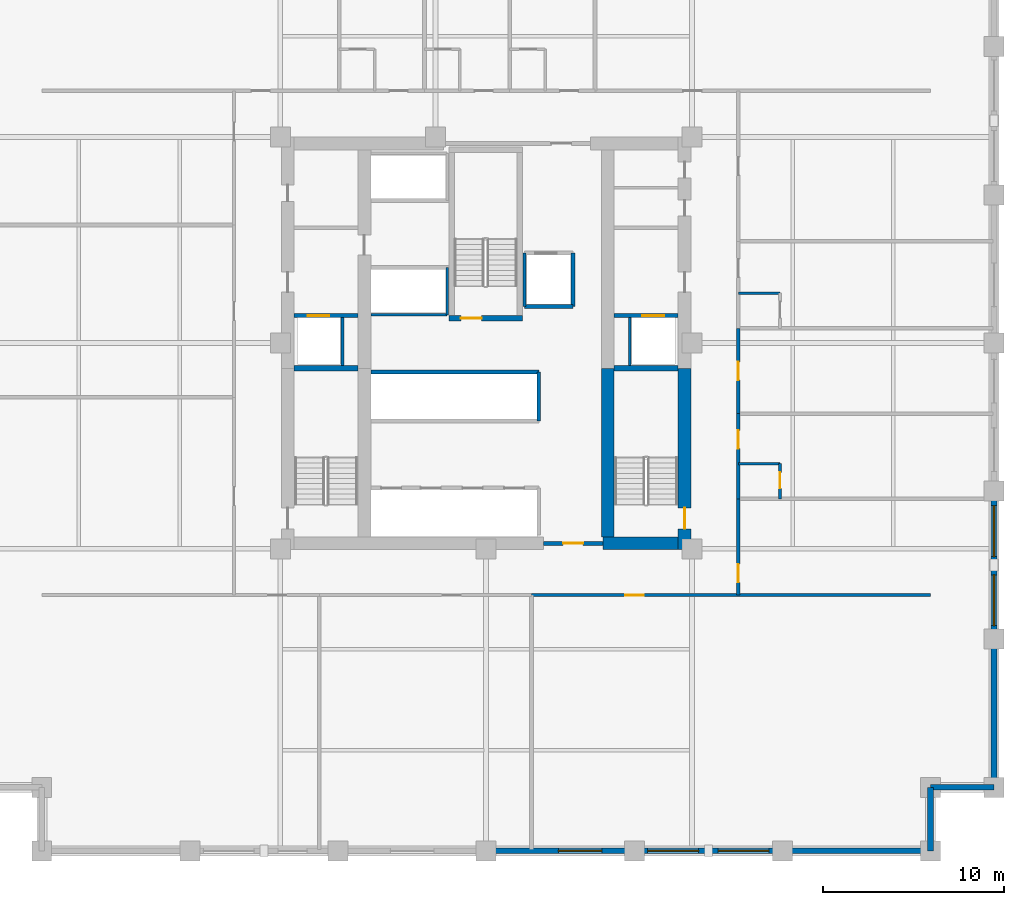
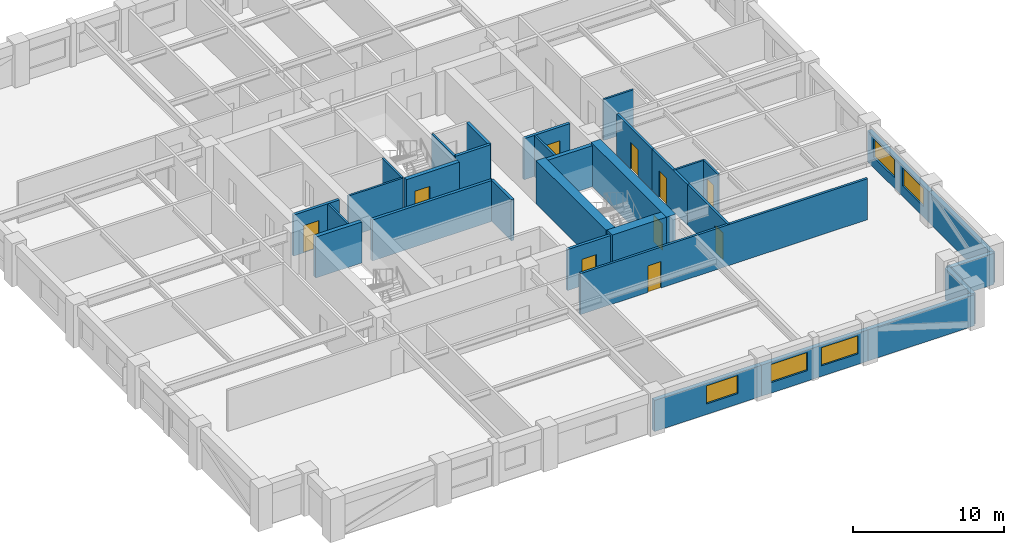
# One storey, part 4 of 8: 32 walls, 10 doors, 5 windows, 15 openings.
"""IFC4 building model written with IfcOpenShell, lengths in metres."""

from ifc_helpers import new_model, si_unit, direction, frame, frame_2d, origin, place, context, subcontext, project, spatial, rectangle, extrude, material, layer, layer_set, type_object, element, fill, save


model = new_model("IFC4")

# Units and contexts
model_context = context("Model", 3, precision=1e-05, world=origin(), true_north=direction((0.0, 1.0)))
body_context = subcontext(model_context, "Body", "Model", "MODEL_VIEW")
ifc_project = project(units=[si_unit("LENGTHUNIT", "METRE"), si_unit("AREAUNIT", "SQUARE_METRE"), si_unit("VOLUMEUNIT", "CUBIC_METRE"), si_unit("PLANEANGLEUNIT", "RADIAN"), si_unit("MASSUNIT", "GRAM", prefix="KILO")], contexts=[model_context])

# Site, building, storey
site_placement = place(None, origin())
site = spatial("IfcSite", under=ifc_project, at=site_placement, CompositionType="ELEMENT")
building_placement = place(site_placement, origin())
building = spatial("IfcBuilding", under=site, at=building_placement, Name="Nhamokura Convention Tower", CompositionType="ELEMENT")
storey_placement = place(building_placement, frame((0.0, 0.0, 56.35009765625)))
storey = spatial("IfcBuildingStorey", under=building, at=storey_placement, Name="L12", CompositionType="ELEMENT", Elevation=56.35009765625)

# Wall
ifc_material_1 = material(Name="Moisture-resistant tile-backer partition", Category="masonry")
ifc_layer_1 = layer(ifc_material_1, 0.139892578125)
ifc_layer_set_1 = layer_set([ifc_layer_1], Name="BathroomWetWall_140")
wall_type_1 = type_object("IfcWallType", Name="BathroomWetWall_140", PredefinedType="STANDARD", material=ifc_layer_set_1)
wall_1_placement = place(storey_placement, frame((45.89990234375, 25.35009765625, 0.0), z_axis=(0.0, 0.0, 1.0), x_axis=(1.0, 0.0, 0.0)))
element("IfcWall", 1, at=wall_1_placement, inside=storey, type_object=wall_type_1, Name="L12 Wall INT-L12-BW-E01N", PredefinedType="STANDARD", context=body_context, shape_type="SweptSolid", body=[
    extrude(rectangle(XDim=2.300048828125, YDim=0.139892578125, at=frame_2d((1.14990234375, 0.0))), origin(), (0.0, 0.0, 1.0), 3.31982421875),
])

# Wall, opening, door
wall_2_placement = place(storey_placement, frame((48.199951171875, 23.39990234375, 0.0), z_axis=(0.0, 0.0, 1.0), x_axis=(0.0, 1.0, 0.0)))
wall_2 = element("IfcWall", 2, at=wall_2_placement, inside=storey, type_object=wall_type_1, Name="L12 Wall INT-L12-BW-E01E", PredefinedType="STANDARD", context=body_context, shape_type="SweptSolid", body=[
    extrude(rectangle(XDim=1.9501953125, YDim=0.139892578125, at=frame_2d((0.97509765625, 0.0))), origin(), (0.0, 0.0, 1.0), 3.31982421875),
])
opening_1_placement = place(wall_2_placement, frame((0.580078125, 0.0, 0.0)))
opening_1 = element("IfcOpeningElement", 3, at=opening_1_placement, cuts=wall_2, Name="Opening D-11", PredefinedType="OPENING", context=body_context, shape_type="SweptSolid", body=[
    extrude(rectangle(XDim=0.8798828125, YDim=2.10009765625, at=frame_2d((0.43994140625, 1.050048828125))), frame((0.0, 0.079833984375, 0.0), z_axis=(0.0, -1.0, 0.0), x_axis=(1.0, 0.0, 0.0)), (0.0, 0.0, 1.0), 0.159912109375),
])
ifc_material_2 = material(Name="Solid oak hardwood", Category="wood")
door_type_1 = type_object("IfcDoorType", Name="BathroomDoor_880", OperationType="NOTDEFINED", PredefinedType="DOOR", material=ifc_material_2)
door_1_placement = place(opening_1_placement, origin())
door_1 = element("IfcDoor", 4, at=door_1_placement, inside=storey, type_object=door_type_1, Name="L12 Corner Suite En-suite Door", OperationType="SINGLE_SWING_LEFT", OverallHeight=2.10009765625, OverallWidth=0.8798828125, PredefinedType="DOOR", context=body_context, shape_type="SweptSolid", body=[
    extrude(rectangle(XDim=0.8798828125, YDim=2.10009765625, at=frame_2d((0.43994140625, 1.050048828125))), frame((0.0, 0.02490234375, 0.0), z_axis=(0.0, -1.0, 0.0), x_axis=(1.0, 0.0, 0.0)), (0.0, 0.0, 1.0), 0.050048828125),
])
fill(opening_1, door_1)

# Wall
wall_3_placement = place(storey_placement, frame((45.89990234375, 34.75, 0.0), z_axis=(0.0, 0.0, 1.0), x_axis=(1.0, 0.0, 0.0)))
element("IfcWall", 5, at=wall_3_placement, inside=storey, type_object=wall_type_1, Name="L12 Wall INT-L12-BW-E03N", PredefinedType="STANDARD", context=body_context, shape_type="SweptSolid", body=[
    extrude(rectangle(XDim=2.300048828125, YDim=0.139892578125, at=frame_2d((1.14990234375, 0.0))), origin(), (0.0, 0.0, 1.0), 3.31982421875),
])

# Wall, opening, window
ifc_material_3 = material(Name="Bronze-pigmented precast concrete C45/55", Category="concrete")
ifc_layer_2 = layer(ifc_material_3, 0.320068359375)
ifc_layer_set_2 = layer_set([ifc_layer_2], Name="BronzePrecastSpandrel_320")
wall_type_2 = type_object("IfcWallType", Name="BronzePrecastSpandrel_320", PredefinedType="USERDEFINED", material=ifc_layer_set_2)
wall_4_placement = place(storey_placement, frame((40.166748046875, 4.0, 0.0), z_axis=(0.0, 0.0, 1.0), x_axis=(-1.0, 0.0, 0.0)))
wall_4 = element("IfcWall", 6, at=wall_4_placement, inside=storey, type_object=wall_type_2, Name="L12 Masonry-Frame Wall SOUTH 3", ObjectType="SPANDREL_WALL", PredefinedType="USERDEFINED", context=body_context, shape_type="SweptSolid", body=[
    extrude(rectangle(XDim=8.166748046875, YDim=0.320068359375, at=frame_2d((4.08349609375, 0.0))), origin(), (0.0, 0.0, 1.0), 2.52001953125),
])
opening_2_placement = place(wall_4_placement, frame((1.783203125, 0.0, 0.85009765625)))
opening_2 = element("IfcOpeningElement", 7, at=opening_2_placement, cuts=wall_4, Name="Opening W-03", PredefinedType="OPENING", context=body_context, shape_type="SweptSolid", body=[
    extrude(rectangle(XDim=2.39990234375, YDim=1.469970703125, at=frame_2d((1.199951171875, 0.73486328125))), frame((0.0, 0.169921875, 0.0), z_axis=(0.0, -1.0, 0.0), x_axis=(1.0, 0.0, 0.0)), (0.0, 0.0, 1.0), 0.340087890625),
])
ifc_material_4 = material(Name="Solar-control bronze low-E double glass", Category="glass")
window_type_1 = type_object("IfcWindowType", Name="HotelBayWindow_2400", PartitioningType="DOUBLE_PANEL_VERTICAL", PredefinedType="WINDOW", material=ifc_material_4)
window_1_placement = place(opening_2_placement, origin())
window_1 = element("IfcWindow", 8, at=window_1_placement, inside=storey, type_object=window_type_1, Name="L12 Facade Window SOUTH 3-1", OverallHeight=1.469970703125, OverallWidth=2.39990234375, PartitioningType="SINGLE_PANEL", PredefinedType="WINDOW", context=body_context, shape_type="SweptSolid", body=[
    extrude(rectangle(XDim=2.39990234375, YDim=1.469970703125, at=frame_2d((1.199951171875, 0.73486328125))), frame((0.0, 0.030029296875, 0.0), z_axis=(0.0, -1.0, 0.0), x_axis=(1.0, 0.0, 0.0)), (0.0, 0.0, 1.0), 0.06005859375),
])
fill(opening_2, window_1)

# Wall, openings, windows
wall_5_placement = place(storey_placement, frame((48.333251953125, 4.0, 0.0), z_axis=(0.0, 0.0, 1.0), x_axis=(-1.0, 0.0, 0.0)))
wall_5 = element("IfcWall", 9, at=wall_5_placement, inside=storey, type_object=wall_type_2, Name="L12 Masonry-Frame Wall SOUTH 4", ObjectType="SPANDREL_WALL", PredefinedType="USERDEFINED", context=body_context, shape_type="SweptSolid", body=[
    extrude(rectangle(XDim=8.16650390625, YDim=0.320068359375, at=frame_2d((4.083251953125, 0.0))), origin(), (0.0, 0.0, 1.0), 2.52001953125),
])
opening_3_placement = place(wall_5_placement, frame((0.74169921875, 0.0, 0.85009765625)))
opening_3 = element("IfcOpeningElement", 10, at=opening_3_placement, cuts=wall_5, Name="Opening W-04", PredefinedType="OPENING", context=body_context, shape_type="SweptSolid", body=[
    extrude(rectangle(XDim=2.800048828125, YDim=1.469970703125, at=frame_2d((1.39990234375, 0.73486328125))), frame((0.0, 0.169921875, 0.0), z_axis=(0.0, -1.0, 0.0), x_axis=(1.0, 0.0, 0.0)), (0.0, 0.0, 1.0), 0.340087890625),
])
opening_4_placement = place(wall_5_placement, frame((4.625, 0.0, 0.85009765625)))
opening_4 = element("IfcOpeningElement", 11, at=opening_4_placement, cuts=wall_5, Name="Opening W-04", PredefinedType="OPENING", context=body_context, shape_type="SweptSolid", body=[
    extrude(rectangle(XDim=2.800048828125, YDim=1.469970703125, at=frame_2d((1.39990234375, 0.73486328125))), frame((0.0, 0.169921875, 0.0), z_axis=(0.0, -1.0, 0.0), x_axis=(1.0, 0.0, 0.0)), (0.0, 0.0, 1.0), 0.340087890625),
])
ifc_material_5 = material(Name="Solar-control bronze low-E double glass", Category="glass")
window_type_2 = type_object("IfcWindowType", Name="HotelSuiteWindow_2800", PartitioningType="DOUBLE_PANEL_VERTICAL", PredefinedType="WINDOW", material=ifc_material_5)
window_2_placement = place(opening_3_placement, origin())
window_2 = element("IfcWindow", 12, at=window_2_placement, inside=storey, type_object=window_type_2, Name="L12 Facade Window SOUTH 4-1", OverallHeight=1.469970703125, OverallWidth=2.800048828125, PartitioningType="SINGLE_PANEL", PredefinedType="WINDOW", context=body_context, shape_type="SweptSolid", body=[
    extrude(rectangle(XDim=2.800048828125, YDim=1.469970703125, at=frame_2d((1.39990234375, 0.73486328125))), frame((0.0, 0.030029296875, 0.0), z_axis=(0.0, -1.0, 0.0), x_axis=(1.0, 0.0, 0.0)), (0.0, 0.0, 1.0), 0.06005859375),
])
fill(opening_3, window_2)
window_3_placement = place(opening_4_placement, origin())
window_3 = element("IfcWindow", 13, at=window_3_placement, inside=storey, type_object=window_type_2, Name="L12 Facade Window SOUTH 4-2", OverallHeight=1.469970703125, OverallWidth=2.800048828125, PartitioningType="SINGLE_PANEL", PredefinedType="WINDOW", context=body_context, shape_type="SweptSolid", body=[
    extrude(rectangle(XDim=2.800048828125, YDim=1.469970703125, at=frame_2d((1.39990234375, 0.73486328125))), frame((0.0, 0.030029296875, 0.0), z_axis=(0.0, -1.0, 0.0), x_axis=(1.0, 0.0, 0.0)), (0.0, 0.0, 1.0), 0.06005859375),
])
fill(opening_4, window_3)

# Walls
for number, where, z_axis, x_axis, name in (
    (14, (56.5, 4.0, 0.0), (0.0, 0.0, 1.0), (-1.0, 0.0, 0.0), "L12 Braced-Bay Precast Wall SOUTH 5"),
    (15, (60.0, 15.666748046875, 0.0), (0.0, 0.0, 1.0), (0.0, -1.0, 0.0), "L12 Braced-Bay Precast Wall EAST 0"),
):
    element("IfcWall", number, at=place(storey_placement, frame(where, z_axis=z_axis, x_axis=x_axis)), inside=storey, type_object=wall_type_2, Name=name, ObjectType="SPANDREL_WALL", PredefinedType="USERDEFINED", context=body_context, shape_type="SweptSolid", body=[
        extrude(rectangle(XDim=8.166748046875, YDim=0.320068359375, at=frame_2d((4.08349609375, 0.0))), origin(), (0.0, 0.0, 1.0), 2.52001953125),
    ])

# Wall, openings, windows
wall_6_placement = place(storey_placement, frame((60.0, 23.833251953125, 0.0), z_axis=(0.0, 0.0, 1.0), x_axis=(0.0, -1.0, 0.0)))
wall_6 = element("IfcWall", 16, at=wall_6_placement, inside=storey, type_object=wall_type_2, Name="L12 Masonry-Frame Wall EAST 1", ObjectType="SPANDREL_WALL", PredefinedType="USERDEFINED", context=body_context, shape_type="SweptSolid", body=[
    extrude(rectangle(XDim=8.16650390625, YDim=0.320068359375, at=frame_2d((4.083251953125, 0.0))), origin(), (0.0, 0.0, 1.0), 2.52001953125),
])
opening_5_placement = place(wall_6_placement, frame((0.808349609375, 0.0, 0.85009765625)))
opening_5 = element("IfcOpeningElement", 17, at=opening_5_placement, cuts=wall_6, Name="Opening W-04", PredefinedType="OPENING", context=body_context, shape_type="SweptSolid", body=[
    extrude(rectangle(XDim=2.800048828125, YDim=1.469970703125, at=frame_2d((1.39990234375, 0.73486328125))), frame((0.0, 0.169921875, 0.0), z_axis=(0.0, -1.0, 0.0), x_axis=(1.0, 0.0, 0.0)), (0.0, 0.0, 1.0), 0.340087890625),
])
opening_6_placement = place(wall_6_placement, frame((4.625, 0.0, 0.85009765625)))
opening_6 = element("IfcOpeningElement", 18, at=opening_6_placement, cuts=wall_6, Name="Opening W-04", PredefinedType="OPENING", context=body_context, shape_type="SweptSolid", body=[
    extrude(rectangle(XDim=2.800048828125, YDim=1.469970703125, at=frame_2d((1.39990234375, 0.73486328125))), frame((0.0, 0.169921875, 0.0), z_axis=(0.0, -1.0, 0.0), x_axis=(1.0, 0.0, 0.0)), (0.0, 0.0, 1.0), 0.340087890625),
])
window_4_placement = place(opening_5_placement, origin())
window_4 = element("IfcWindow", 19, at=window_4_placement, inside=storey, type_object=window_type_2, Name="L12 Facade Window EAST 1-1", OverallHeight=1.469970703125, OverallWidth=2.800048828125, PartitioningType="SINGLE_PANEL", PredefinedType="WINDOW", context=body_context, shape_type="SweptSolid", body=[
    extrude(rectangle(XDim=2.800048828125, YDim=1.469970703125, at=frame_2d((1.39990234375, 0.73486328125))), frame((0.0, 0.030029296875, 0.0), z_axis=(0.0, -1.0, 0.0), x_axis=(1.0, 0.0, 0.0)), (0.0, 0.0, 1.0), 0.06005859375),
])
fill(opening_5, window_4)
window_5_placement = place(opening_6_placement, origin())
window_5 = element("IfcWindow", 20, at=window_5_placement, inside=storey, type_object=window_type_2, Name="L12 Facade Window EAST 1-2", OverallHeight=1.469970703125, OverallWidth=2.800048828125, PartitioningType="SINGLE_PANEL", PredefinedType="WINDOW", context=body_context, shape_type="SweptSolid", body=[
    extrude(rectangle(XDim=2.800048828125, YDim=1.469970703125, at=frame_2d((1.39990234375, 0.73486328125))), frame((0.0, 0.030029296875, 0.0), z_axis=(0.0, -1.0, 0.0), x_axis=(1.0, 0.0, 0.0)), (0.0, 0.0, 1.0), 0.06005859375),
])
fill(opening_6, window_5)

# Walls
for number, where, z_axis, x_axis, name in (
    (21, (56.5, 7.5, 0.0), (0.0, 0.0, 1.0), (0.0, -1.0, 0.0), "L12 Notched Corner Wall SE1"),
    (22, (60.0, 7.5, 0.0), (0.0, 0.0, 1.0), (-1.0, 0.0, 0.0), "L12 Notched Corner Wall SE2"),
):
    element("IfcWall", number, at=place(storey_placement, frame(where, z_axis=z_axis, x_axis=x_axis)), inside=storey, type_object=wall_type_2, Name=name, ObjectType="SPANDREL_WALL", PredefinedType="USERDEFINED", context=body_context, shape_type="SweptSolid", body=[
        extrude(rectangle(XDim=3.5, YDim=0.320068359375, at=frame_2d((1.75, 0.0))), origin(), (0.0, 0.0, 1.0), 2.52001953125),
    ])

# Wall, opening, door
ifc_material_6 = material(Name="Concrete C70/85", Category="concrete")
ifc_layer_3 = layer(ifc_material_6, 0.699951171875)
ifc_layer_set_3 = layer_set([ifc_layer_3], Name="CoreShearWall_700")
wall_type_3 = type_object("IfcWallType", Name="CoreShearWall_700", PredefinedType="SHEAR", material=ifc_layer_set_3)
wall_7_placement = place(storey_placement, frame((42.93994140625, 20.60009765625, 0.0), z_axis=(0.0, 0.0, 1.0), x_axis=(0.0, 1.0, 0.0)))
wall_7 = element("IfcWall", 23, at=wall_7_placement, inside=storey, type_object=wall_type_3, Name="L12 Core Shear Wall CW-ES", PredefinedType="SHEAR", context=body_context, shape_type="SweptSolid", body=[
    extrude(rectangle(XDim=10.0, YDim=0.699951171875, at=frame_2d((5.0, 0.0))), origin(), (0.0, 0.0, 1.0), 3.5),
])
opening_7_placement = place(wall_7_placement, frame((1.14990234375, 0.0, 0.0)))
opening_7 = element("IfcOpeningElement", 24, at=opening_7_placement, cuts=wall_7, Name="Opening D-04", PredefinedType="OPENING", context=body_context, shape_type="SweptSolid", body=[
    extrude(rectangle(XDim=1.14990234375, YDim=2.14990234375, at=frame_2d((0.574951171875, 1.074951171875))), frame((0.0, 0.35986328125, 0.0), z_axis=(0.0, -1.0, 0.0), x_axis=(1.0, 0.0, 0.0)), (0.0, 0.0, 1.0), 0.719970703125),
])
ifc_material_7 = material(Name="Fire-rated steel door", Category="steel")
door_type_2 = type_object("IfcDoorType", Name="StairSmokeDoor_1150", OperationType="NOTDEFINED", PredefinedType="DOOR", material=ifc_material_7)
door_2_placement = place(opening_7_placement, origin())
door_2 = element("IfcDoor", 25, at=door_2_placement, inside=storey, type_object=door_type_2, Name="L12 Core Door INT-L12-D-ST02", OperationType="SINGLE_SWING_RIGHT", OverallHeight=2.14990234375, OverallWidth=1.14990234375, PredefinedType="DOOR", context=body_context, shape_type="SweptSolid", body=[
    extrude(rectangle(XDim=1.14990234375, YDim=2.14990234375, at=frame_2d((0.574951171875, 1.074951171875))), frame((0.0, 0.02490234375, 0.0), z_axis=(0.0, -1.0, 0.0), x_axis=(1.0, 0.0, 0.0)), (0.0, 0.0, 1.0), 0.050048828125),
])
fill(opening_7, door_2)

# Walls
wall_8_placement = place(storey_placement, frame((38.449951171875, 20.949951171875, 0.0), z_axis=(0.0, 0.0, 1.0), x_axis=(1.0, 0.0, 0.0)))
element("IfcWall", 26, at=wall_8_placement, inside=storey, type_object=wall_type_3, Name="L12 Core Shear Wall CW-S2", PredefinedType="SHEAR", context=body_context, shape_type="SweptSolid", body=[
    extrude(rectangle(XDim=4.14013671875, YDim=0.699951171875, at=frame_2d((2.070068359375, 0.0))), origin(), (0.0, 0.0, 1.0), 3.5),
])
wall_9_placement = place(storey_placement, frame((38.7099609375, 21.300048828125, 0.0), z_axis=(0.0, 0.0, 1.0), x_axis=(0.0, 1.0, 0.0)))
element("IfcWall", 27, at=wall_9_placement, inside=storey, type_object=wall_type_3, Name="L12 Core Shear Wall CW-IES", PredefinedType="SHEAR", context=body_context, shape_type="SweptSolid", body=[
    extrude(rectangle(XDim=9.300048828125, YDim=0.699951171875, at=frame_2d((4.64990234375, 0.0))), origin(), (0.0, 0.0, 1.0), 3.5),
])

# Wall, opening, door
ifc_material_8 = material(Name="Fire-rated gypsum and masonry partition", Category="masonry")
ifc_layer_4 = layer(ifc_material_8, 0.179931640625)
ifc_layer_set_4 = layer_set([ifc_layer_4], Name="CorridorRatedWall_180")
wall_type_4 = type_object("IfcWallType", Name="CorridorRatedWall_180", PredefinedType="STANDARD", material=ifc_layer_set_4)
wall_10_placement = place(storey_placement, frame((34.5, 18.10009765625, 0.0), z_axis=(0.0, 0.0, 1.0), x_axis=(1.0, 0.0, 0.0)))
wall_10 = element("IfcWall", 28, at=wall_10_placement, inside=storey, type_object=wall_type_4, Name="L12 Wall INT-L12-CW-S02", PredefinedType="STANDARD", context=body_context, shape_type="SweptSolid", body=[
    extrude(rectangle(XDim=22.0, YDim=0.179931640625, at=frame_2d((11.0, 0.0))), origin(), (0.0, 0.0, 1.0), 3.31982421875),
])
opening_8_placement = place(wall_10_placement, frame((5.175048828125, 0.0, 0.0)))
opening_8 = element("IfcOpeningElement", 29, at=opening_8_placement, cuts=wall_10, Name="Opening D-07", PredefinedType="OPENING", context=body_context, shape_type="SweptSolid", body=[
    extrude(rectangle(XDim=1.0, YDim=2.14990234375, at=frame_2d((0.5, 1.074951171875))), frame((0.0, 0.099853515625, 0.0), z_axis=(0.0, -1.0, 0.0), x_axis=(1.0, 0.0, 0.0)), (0.0, 0.0, 1.0), 0.199951171875),
])
ifc_material_9 = material(Name="Solid oak hardwood", Category="wood")
door_type_3 = type_object("IfcDoorType", Name="HotelSuiteEntryDoor_1000", OperationType="NOTDEFINED", PredefinedType="DOOR", material=ifc_material_9)
door_3_placement = place(opening_8_placement, origin())
door_3 = element("IfcDoor", 30, at=door_3_placement, inside=storey, type_object=door_type_3, Name="L12 Conference Salon S03 Door", OperationType="SINGLE_SWING_LEFT", OverallHeight=2.14990234375, OverallWidth=1.0, PredefinedType="DOOR", context=body_context, shape_type="SweptSolid", body=[
    extrude(rectangle(XDim=1.0, YDim=2.14990234375, at=frame_2d((0.5, 1.074951171875))), frame((0.0, 0.02490234375, 0.0), z_axis=(0.0, -1.0, 0.0), x_axis=(1.0, 0.0, 0.0)), (0.0, 0.0, 1.0), 0.050048828125),
])
fill(opening_8, door_3)

wall_11_placement = place(storey_placement, frame((45.89990234375, 18.10009765625, 0.0), z_axis=(0.0, 0.0, 1.0), x_axis=(0.0, 1.0, 0.0)))
wall_11 = element("IfcWall", 31, at=wall_11_placement, inside=storey, type_object=wall_type_4, Name="L12 Wall INT-L12-CW-E00", PredefinedType="STANDARD", context=body_context, shape_type="SweptSolid", body=[
    extrude(rectangle(XDim=5.2998046875, YDim=0.179931640625, at=frame_2d((2.64990234375, 0.0))), origin(), (0.0, 0.0, 1.0), 3.31982421875),
])
opening_9_placement = place(wall_11_placement, frame((0.699951171875, 0.0, 0.0)))
opening_9 = element("IfcOpeningElement", 32, at=opening_9_placement, cuts=wall_11, Name="Opening D-07", PredefinedType="OPENING", context=body_context, shape_type="SweptSolid", body=[
    extrude(rectangle(XDim=1.0, YDim=2.14990234375, at=frame_2d((0.5, 1.074951171875))), frame((0.0, 0.099853515625, 0.0), z_axis=(0.0, -1.0, 0.0), x_axis=(1.0, 0.0, 0.0)), (0.0, 0.0, 1.0), 0.199951171875),
])
door_4_placement = place(opening_9_placement, origin())
door_4 = element("IfcDoor", 33, at=door_4_placement, inside=storey, type_object=door_type_3, Name="L12 Conference Salon E01 Door", OperationType="SINGLE_SWING_LEFT", OverallHeight=2.14990234375, OverallWidth=1.0, PredefinedType="DOOR", context=body_context, shape_type="SweptSolid", body=[
    extrude(rectangle(XDim=1.0, YDim=2.14990234375, at=frame_2d((0.5, 1.074951171875))), frame((0.0, 0.02490234375, 0.0), z_axis=(0.0, -1.0, 0.0), x_axis=(1.0, 0.0, 0.0)), (0.0, 0.0, 1.0), 0.050048828125),
])
fill(opening_9, door_4)

wall_12_placement = place(storey_placement, frame((45.89990234375, 23.39990234375, 0.0), z_axis=(0.0, 0.0, 1.0), x_axis=(0.0, 1.0, 0.0)))
wall_12 = element("IfcWall", 34, at=wall_12_placement, inside=storey, type_object=wall_type_4, Name="L12 Wall INT-L12-CW-E01", PredefinedType="STANDARD", context=body_context, shape_type="SweptSolid", body=[
    extrude(rectangle(XDim=4.7001953125, YDim=0.179931640625, at=frame_2d((2.35009765625, 0.0))), origin(), (0.0, 0.0, 1.0), 3.31982421875),
])
opening_10_placement = place(wall_12_placement, frame((2.77490234375, 0.0, 0.0)))
opening_10 = element("IfcOpeningElement", 35, at=opening_10_placement, cuts=wall_12, Name="Opening D-07", PredefinedType="OPENING", context=body_context, shape_type="SweptSolid", body=[
    extrude(rectangle(XDim=1.0, YDim=2.14990234375, at=frame_2d((0.5, 1.074951171875))), frame((0.0, 0.099853515625, 0.0), z_axis=(0.0, -1.0, 0.0), x_axis=(1.0, 0.0, 0.0)), (0.0, 0.0, 1.0), 0.199951171875),
])
door_5_placement = place(opening_10_placement, origin())
door_5 = element("IfcDoor", 36, at=door_5_placement, inside=storey, type_object=door_type_3, Name="L12 Corner Suite E02 Door", OperationType="SINGLE_SWING_RIGHT", OverallHeight=2.14990234375, OverallWidth=1.0, PredefinedType="DOOR", context=body_context, shape_type="SweptSolid", body=[
    extrude(rectangle(XDim=1.0, YDim=2.14990234375, at=frame_2d((0.5, 1.074951171875))), frame((0.0, 0.02490234375, 0.0), z_axis=(0.0, -1.0, 0.0), x_axis=(1.0, 0.0, 0.0)), (0.0, 0.0, 1.0), 0.050048828125),
])
fill(opening_10, door_5)

wall_13_placement = place(storey_placement, frame((45.89990234375, 28.10009765625, 0.0), z_axis=(0.0, 0.0, 1.0), x_axis=(0.0, 1.0, 0.0)))
wall_13 = element("IfcWall", 37, at=wall_13_placement, inside=storey, type_object=wall_type_4, Name="L12 Wall INT-L12-CW-E02", PredefinedType="STANDARD", context=body_context, shape_type="SweptSolid", body=[
    extrude(rectangle(XDim=4.699951171875, YDim=0.179931640625, at=frame_2d((2.35009765625, 0.0))), origin(), (0.0, 0.0, 1.0), 3.31982421875),
])
opening_11_placement = place(wall_13_placement, frame((1.85009765625, 0.0, 0.0)))
opening_11 = element("IfcOpeningElement", 38, at=opening_11_placement, cuts=wall_13, Name="Opening D-07", PredefinedType="OPENING", context=body_context, shape_type="SweptSolid", body=[
    extrude(rectangle(XDim=1.0, YDim=2.14990234375, at=frame_2d((0.5, 1.074951171875))), frame((0.0, 0.099853515625, 0.0), z_axis=(0.0, -1.0, 0.0), x_axis=(1.0, 0.0, 0.0)), (0.0, 0.0, 1.0), 0.199951171875),
])
door_6_placement = place(opening_11_placement, origin())
door_6 = element("IfcDoor", 39, at=door_6_placement, inside=storey, type_object=door_type_3, Name="L12 Housekeeping Store E03 Door", OperationType="SINGLE_SWING_LEFT", OverallHeight=2.14990234375, OverallWidth=1.0, PredefinedType="DOOR", context=body_context, shape_type="SweptSolid", body=[
    extrude(rectangle(XDim=1.0, YDim=2.14990234375, at=frame_2d((0.5, 1.074951171875))), frame((0.0, 0.02490234375, 0.0), z_axis=(0.0, -1.0, 0.0), x_axis=(1.0, 0.0, 0.0)), (0.0, 0.0, 1.0), 0.050048828125),
])
fill(opening_11, door_6)

ifc_material_10 = material(Name="Autoclaved concrete blockwork", Category="masonry")
ifc_layer_5 = layer(ifc_material_10, 0.219970703125)
ifc_layer_set_5 = layer_set([ifc_layer_5], Name="FireLobbyWall_220")
wall_type_5 = type_object("IfcWallType", Name="FireLobbyWall_220", PredefinedType="STANDARD", material=ifc_layer_set_5)
wall_14_placement = place(storey_placement, frame((21.409912109375, 33.5, 0.0), z_axis=(0.0, 0.0, 1.0), x_axis=(1.0, 0.0, 0.0)))
wall_14 = element("IfcWall", 40, at=wall_14_placement, inside=storey, type_object=wall_type_5, Name="L12 Wall INT-L12-FFW-S", PredefinedType="STANDARD", context=body_context, shape_type="SweptSolid", body=[
    extrude(rectangle(XDim=3.530029296875, YDim=0.219970703125, at=frame_2d((1.76513671875, 0.0))), origin(), (0.0, 0.0, 1.0), 3.31982421875),
])
opening_12_placement = place(wall_14_placement, frame((0.75, 0.0, 0.0)))
opening_12 = element("IfcOpeningElement", 41, at=opening_12_placement, cuts=wall_14, Name="Opening LD-02", PredefinedType="OPENING", context=body_context, shape_type="SweptSolid", body=[
    extrude(rectangle(XDim=1.199951171875, YDim=2.199951171875, at=frame_2d((0.60009765625, 1.10009765625))), frame((0.0, 0.119873046875, 0.0), z_axis=(0.0, -1.0, 0.0), x_axis=(1.0, 0.0, 0.0)), (0.0, 0.0, 1.0), 0.239990234375),
])
ifc_material_11 = material(Name="Anodised bronze stainless steel", Category="steel")
door_type_4 = type_object("IfcDoorType", Name="LiftLandingDoor_FireService", OperationType="DOUBLE_DOOR_SLIDING", PredefinedType="DOOR", material=ifc_material_11)
door_7_placement = place(opening_12_placement, origin())
door_7 = element("IfcDoor", 42, at=door_7_placement, inside=storey, type_object=door_type_4, Name="L12 Firefighting Lift LF-01 Door", OperationType="DOUBLE_DOOR_SLIDING", OverallHeight=2.199951171875, OverallWidth=1.199951171875, PredefinedType="DOOR", context=body_context, shape_type="SweptSolid", body=[
    extrude(rectangle(XDim=1.199951171875, YDim=2.199951171875, at=frame_2d((0.60009765625, 1.10009765625))), frame((0.0, 0.02490234375, 0.0), z_axis=(0.0, -1.0, 0.0), x_axis=(1.0, 0.0, 0.0)), (0.0, 0.0, 1.0), 0.050048828125),
])
fill(opening_12, door_7)

wall_15_placement = place(storey_placement, frame((39.06005859375, 33.5, 0.0), z_axis=(0.0, 0.0, 1.0), x_axis=(1.0, 0.0, 0.0)))
wall_15 = element("IfcWall", 43, at=wall_15_placement, inside=storey, type_object=wall_type_5, Name="L12 Wall INT-L12-FFE-S", PredefinedType="STANDARD", context=body_context, shape_type="SweptSolid", body=[
    extrude(rectangle(XDim=3.530029296875, YDim=0.219970703125, at=frame_2d((1.76513671875, 0.0))), origin(), (0.0, 0.0, 1.0), 3.31982421875),
])
opening_13_placement = place(wall_15_placement, frame((1.550048828125, 0.0, 0.0)))
opening_13 = element("IfcOpeningElement", 44, at=opening_13_placement, cuts=wall_15, Name="Opening LD-02", PredefinedType="OPENING", context=body_context, shape_type="SweptSolid", body=[
    extrude(rectangle(XDim=1.199951171875, YDim=2.199951171875, at=frame_2d((0.60009765625, 1.10009765625))), frame((0.0, 0.119873046875, 0.0), z_axis=(0.0, -1.0, 0.0), x_axis=(1.0, 0.0, 0.0)), (0.0, 0.0, 1.0), 0.239990234375),
])
door_8_placement = place(opening_13_placement, origin())
door_8 = element("IfcDoor", 45, at=door_8_placement, inside=storey, type_object=door_type_4, Name="L12 Firefighting Lift LF-02 Door", OperationType="DOUBLE_DOOR_SLIDING", OverallHeight=2.199951171875, OverallWidth=1.199951171875, PredefinedType="DOOR", context=body_context, shape_type="SweptSolid", body=[
    extrude(rectangle(XDim=1.199951171875, YDim=2.199951171875, at=frame_2d((0.60009765625, 1.10009765625))), frame((0.0, 0.02490234375, 0.0), z_axis=(0.0, -1.0, 0.0), x_axis=(1.0, 0.0, 0.0)), (0.0, 0.0, 1.0), 0.050048828125),
])
fill(opening_13, door_8)

wall_16_placement = place(storey_placement, frame((35.14990234375, 20.949951171875, 0.0), z_axis=(0.0, 0.0, 1.0), x_axis=(1.0, 0.0, 0.0)))
wall_16 = element("IfcWall", 46, at=wall_16_placement, inside=storey, type_object=wall_type_5, Name="L12 Wall INT-L12-SPORT-S", PredefinedType="STANDARD", context=body_context, shape_type="SweptSolid", body=[
    extrude(rectangle(XDim=3.300048828125, YDim=0.219970703125, at=frame_2d((1.64990234375, 0.0))), origin(), (0.0, 0.0, 1.0), 3.31982421875),
])
opening_14_placement = place(wall_16_placement, frame((1.10009765625, 0.0, 0.0)))
opening_14 = element("IfcOpeningElement", 47, at=opening_14_placement, cuts=wall_16, Name="Opening D-05", PredefinedType="OPENING", context=body_context, shape_type="SweptSolid", body=[
    extrude(rectangle(XDim=1.10009765625, YDim=2.14990234375, at=frame_2d((0.550048828125, 1.074951171875))), frame((0.0, 0.119873046875, 0.0), z_axis=(0.0, -1.0, 0.0), x_axis=(1.0, 0.0, 0.0)), (0.0, 0.0, 1.0), 0.239990234375),
])
ifc_material_12 = material(Name="Fire-rated steel door", Category="steel")
door_type_5 = type_object("IfcDoorType", Name="FireLobbyDoor_1100", OperationType="NOTDEFINED", PredefinedType="DOOR", material=ifc_material_12)
door_9_placement = place(opening_14_placement, origin())
door_9 = element("IfcDoor", 48, at=door_9_placement, inside=storey, type_object=door_type_5, Name="L12 South Core Lobby Portal Door", OperationType="SINGLE_SWING_LEFT", OverallHeight=2.14990234375, OverallWidth=1.10009765625, PredefinedType="DOOR", context=body_context, shape_type="SweptSolid", body=[
    extrude(rectangle(XDim=1.10009765625, YDim=2.14990234375, at=frame_2d((0.550048828125, 1.074951171875))), frame((0.0, 0.02490234375, 0.0), z_axis=(0.0, -1.0, 0.0), x_axis=(1.0, 0.0, 0.0)), (0.0, 0.0, 1.0), 0.050048828125),
])
fill(opening_14, door_9)

# Walls
wall_17_placement = place(storey_placement, frame((25.64990234375, 30.39990234375, 0.0), z_axis=(0.0, 0.0, 1.0), x_axis=(1.0, 0.0, 0.0)))
element("IfcWall", 49, at=wall_17_placement, inside=storey, type_object=wall_type_5, Name="L12 Wall INT-L12-B2N", PredefinedType="STANDARD", context=body_context, shape_type="SweptSolid", body=[
    extrude(rectangle(XDim=9.25, YDim=0.219970703125, at=frame_2d((4.625, 0.0))), origin(), (0.0, 0.0, 1.0), 3.31982421875),
])
wall_18_placement = place(storey_placement, frame((34.89990234375, 27.699951171875, 0.0), z_axis=(0.0, 0.0, 1.0), x_axis=(0.0, 1.0, 0.0)))
element("IfcWall", 50, at=wall_18_placement, inside=storey, type_object=wall_type_5, Name="L12 Wall INT-L12-B2E", PredefinedType="STANDARD", context=body_context, shape_type="SweptSolid", body=[
    extrude(rectangle(XDim=2.699951171875, YDim=0.219970703125, at=frame_2d((1.35009765625, 0.0))), origin(), (0.0, 0.0, 1.0), 3.31982421875),
])
wall_19_placement = place(storey_placement, frame((36.800048828125, 34.02001953125, 0.0), z_axis=(0.0, 0.0, 1.0), x_axis=(0.0, 1.0, 0.0)))
element("IfcWall", 51, at=wall_19_placement, inside=storey, type_object=wall_type_5, Name="L12 Wall INT-L12-LSE", PredefinedType="STANDARD", context=body_context, shape_type="SweptSolid", body=[
    extrude(rectangle(XDim=2.929931640625, YDim=0.219970703125, at=frame_2d((1.46484375, 0.0))), origin(), (0.0, 0.0, 1.0), 3.31982421875),
])
wall_20_placement = place(storey_placement, frame((34.1201171875, 34.02001953125, 0.0), z_axis=(0.0, 0.0, 1.0), x_axis=(1.0, 0.0, 0.0)))
element("IfcWall", 52, at=wall_20_placement, inside=storey, type_object=wall_type_5, Name="L12 Wall INT-L12-LSS", PredefinedType="STANDARD", context=body_context, shape_type="SweptSolid", body=[
    extrude(rectangle(XDim=2.679931640625, YDim=0.219970703125, at=frame_2d((1.33984375, 0.0))), origin(), (0.0, 0.0, 1.0), 3.31982421875),
])
ifc_material_13 = material(Name="Acoustic gypsum stud partition", Category="masonry")
ifc_layer_6 = layer(ifc_material_13, 0.14990234375)
ifc_layer_set_6 = layer_set([ifc_layer_6], Name="InteriorPartition_150")
wall_type_6 = type_object("IfcWallType", Name="InteriorPartition_150", PredefinedType="STANDARD", material=ifc_layer_set_6)
for number, where, z_axis, x_axis, name in (
    (53, (24.080078125, 30.75, 0.0), (0.0, 0.0, 1.0), (0.0, 1.0, 0.0), "L12 Wall INT-L12-FF1-E"),
    (54, (39.919921875, 30.75, 0.0), (0.0, 0.0, 1.0), (0.0, 1.0, 0.0), "L12 Wall INT-L12-FF2-W"),
):
    element("IfcWall", number, at=place(storey_placement, frame(where, z_axis=z_axis, x_axis=x_axis)), inside=storey, type_object=wall_type_6, Name=name, PredefinedType="STANDARD", context=body_context, shape_type="SweptSolid", body=[
        extrude(rectangle(XDim=2.64990234375, YDim=0.14990234375, at=frame_2d((1.324951171875, 0.0))), origin(), (0.0, 0.0, 1.0), 3.31982421875),
    ])
wall_21_placement = place(storey_placement, frame((25.64990234375, 33.550048828125, 0.0), z_axis=(0.0, 0.0, 1.0), x_axis=(1.0, 0.0, 0.0)))
element("IfcWall", 55, at=wall_21_placement, inside=storey, type_object=wall_type_6, Name="L12 Wall INT-L12-B3A-S", PredefinedType="STANDARD", context=body_context, shape_type="SweptSolid", body=[
    extrude(rectangle(XDim=4.2001953125, YDim=0.14990234375, at=frame_2d((2.10009765625, 0.0))), origin(), (0.0, 0.0, 1.0), 3.31982421875),
])
wall_22_placement = place(storey_placement, frame((29.85009765625, 33.550048828125, 0.0), z_axis=(0.0, 0.0, 1.0), x_axis=(0.0, 1.0, 0.0)))
element("IfcWall", 56, at=wall_22_placement, inside=storey, type_object=wall_type_6, Name="L12 Wall INT-L12-B3A-E", PredefinedType="STANDARD", context=body_context, shape_type="SweptSolid", body=[
    extrude(rectangle(XDim=2.599853515625, YDim=0.14990234375, at=frame_2d((1.2998046875, 0.0))), origin(), (0.0, 0.0, 1.0), 3.31982421875),
])
wall_23_placement = place(storey_placement, frame((34.1201171875, 34.02001953125, 0.0), z_axis=(0.0, 0.0, 1.0), x_axis=(0.0, 1.0, 0.0)))
element("IfcWall", 57, at=wall_23_placement, inside=storey, type_object=wall_type_6, Name="L12 Wall INT-L12-LSW", PredefinedType="STANDARD", context=body_context, shape_type="SweptSolid", body=[
    extrude(rectangle(XDim=2.929931640625, YDim=0.14990234375, at=frame_2d((1.46484375, 0.0))), origin(), (0.0, 0.0, 1.0), 3.31982421875),
])
ifc_material_14 = material(Name="Concrete C50/60", Category="concrete")
ifc_layer_7 = layer(ifc_material_14, 0.300048828125)
ifc_layer_set_7 = layer_set([ifc_layer_7], Name="ShaftEnclosureWall_300")
wall_type_7 = type_object("IfcWallType", Name="ShaftEnclosureWall_300", PredefinedType="SHEAR", material=ifc_layer_set_7)
for number, where, z_axis, x_axis, name in (
    (58, (21.409912109375, 30.60009765625, 0.0), (0.0, 0.0, 1.0), (1.0, 0.0, 0.0), "L12 Wall INT-L12-ST01-N"),
    (59, (39.06005859375, 30.60009765625, 0.0), (0.0, 0.0, 1.0), (1.0, 0.0, 0.0), "L12 Wall INT-L12-ST02-N"),
):
    element("IfcWall", number, at=place(storey_placement, frame(where, z_axis=z_axis, x_axis=x_axis)), inside=storey, type_object=wall_type_7, Name=name, PredefinedType="SHEAR", context=body_context, shape_type="SweptSolid", body=[
        extrude(rectangle(XDim=3.530029296875, YDim=0.300048828125, at=frame_2d((1.76513671875, 0.0))), origin(), (0.0, 0.0, 1.0), 3.31982421875),
    ])

# Wall, opening, door
wall_24_placement = place(storey_placement, frame((29.949951171875, 33.35009765625, 0.0), z_axis=(0.0, 0.0, 1.0), x_axis=(1.0, 0.0, 0.0)))
wall_24 = element("IfcWall", 60, at=wall_24_placement, inside=storey, type_object=wall_type_7, Name="L12 Wall INT-L12-ST03S", PredefinedType="SHEAR", context=body_context, shape_type="SweptSolid", body=[
    extrude(rectangle(XDim=4.050048828125, YDim=0.300048828125, at=frame_2d((2.02490234375, 0.0))), origin(), (0.0, 0.0, 1.0), 3.31982421875),
])
opening_15_placement = place(wall_24_placement, frame((0.64990234375, 0.0, 0.0)))
opening_15 = element("IfcOpeningElement", 61, at=opening_15_placement, cuts=wall_24, Name="Opening D-04", PredefinedType="OPENING", context=body_context, shape_type="SweptSolid", body=[
    extrude(rectangle(XDim=1.14990234375, YDim=2.14990234375, at=frame_2d((0.574951171875, 1.074951171875))), frame((0.0, 0.159912109375, 0.0), z_axis=(0.0, -1.0, 0.0), x_axis=(1.0, 0.0, 0.0)), (0.0, 0.0, 1.0), 0.320068359375),
])
door_10_placement = place(opening_15_placement, origin())
door_10 = element("IfcDoor", 62, at=door_10_placement, inside=storey, type_object=door_type_2, Name="L12 Stair ST-03 Smoke Door", OperationType="SINGLE_SWING_LEFT", OverallHeight=2.14990234375, OverallWidth=1.14990234375, PredefinedType="DOOR", context=body_context, shape_type="SweptSolid", body=[
    extrude(rectangle(XDim=1.14990234375, YDim=2.14990234375, at=frame_2d((0.574951171875, 1.074951171875))), frame((0.0, 0.02490234375, 0.0), z_axis=(0.0, -1.0, 0.0), x_axis=(1.0, 0.0, 0.0)), (0.0, 0.0, 1.0), 0.050048828125),
])
fill(opening_15, door_10)

save(model, "model.ifc")
